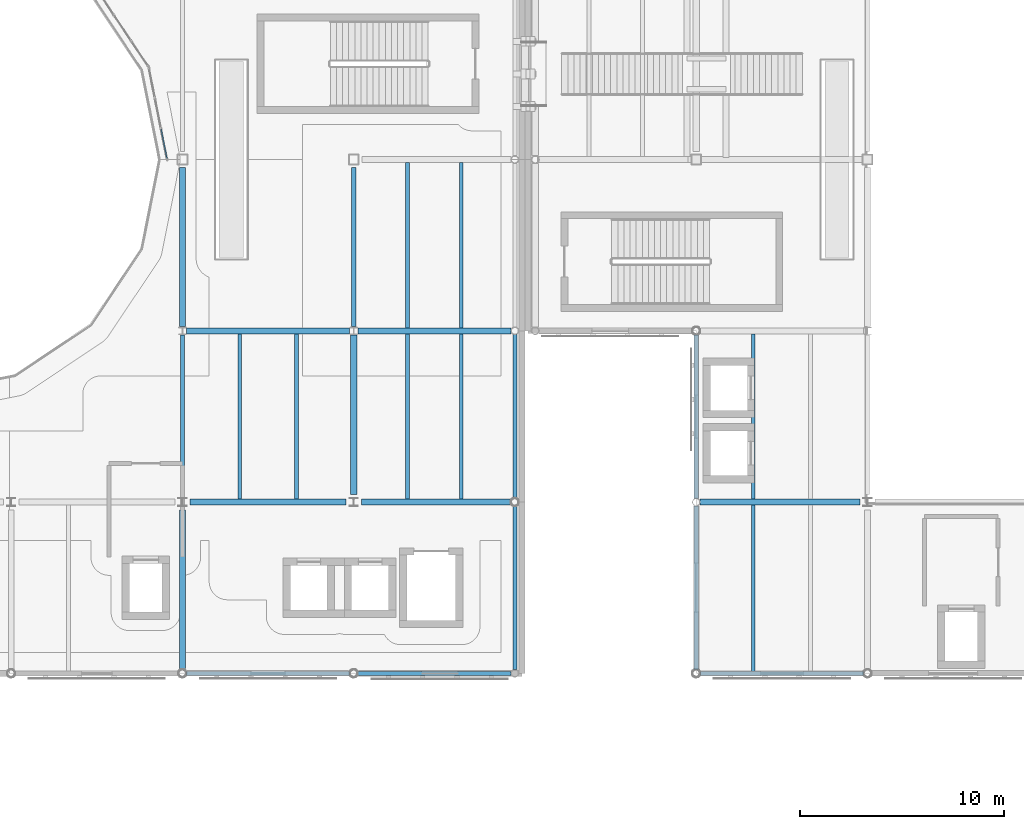
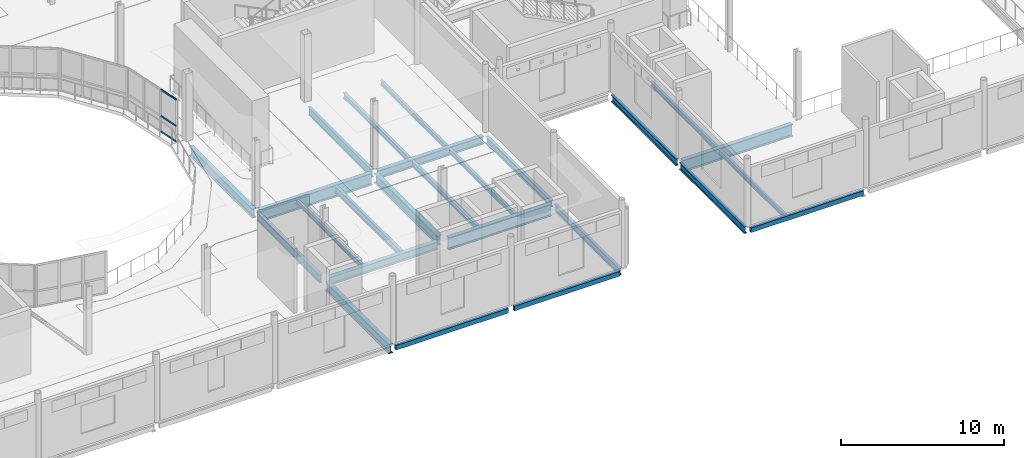
# One storey, part 21 of 104: 25 beams, 3 members, 1 element without a shape of its own.
"""IFC4 building model written with IfcOpenShell, lengths in metres."""

from ifc_helpers import new_model, si_unit, direction, frame, origin, origin_2d, place, context, subcontext, project, spatial, hollow_rectangle, i_section, extrude, material, layer, layer_set, material_profile, profile_set, type_object, element, aggregate, save


model = new_model("IFC4")

# Units and contexts
model_context = context("Model", 3, precision=1e-05, world=origin(), true_north=direction((0.0, 1.0)))
body_context = subcontext(model_context, "Body", "Model", "MODEL_VIEW")
ifc_project = project(units=[si_unit("LENGTHUNIT", "METRE"), si_unit("AREAUNIT", "SQUARE_METRE"), si_unit("VOLUMEUNIT", "CUBIC_METRE"), si_unit("PLANEANGLEUNIT", "RADIAN"), si_unit("MASSUNIT", "GRAM", prefix="KILO"), si_unit("THERMODYNAMICTEMPERATUREUNIT", "KELVIN")], contexts=[model_context])

# Site, building, storey
site_placement = place(None, origin())
site = spatial("IfcSite", under=ifc_project, at=site_placement, CompositionType="ELEMENT")
building_placement = place(site_placement, origin())
building = spatial("IfcBuilding", under=site, at=building_placement, Name="Lustrewick Department Store", CompositionType="ELEMENT")
storey_placement = place(building_placement, frame((0.0, 0.0, 11.39990234375)))
storey = spatial("IfcBuildingStorey", under=building, at=storey_placement, Name="L03", CompositionType="ELEMENT", Elevation=11.39990234375)

# Beams
ifc_material_1 = material(Name="Structural steel Q355B", Category="steel")
ifc_material_profile_1 = material_profile(ifc_material_1, i_section(OverallWidth=0.199951171875, OverallDepth=0.5, WebThickness=0.010009765625, FlangeThickness=0.01611328125, FilletRadius=0.01611328125, at=origin_2d()), Name="HN 500x200x10x16")
ifc_profile_set_1 = profile_set([ifc_material_profile_1], Name="Structural steel Q355B")
beam_type_1 = type_object("IfcBeamType", Name="B01", PredefinedType="JOIST", material=ifc_profile_set_1)
beam_1_placement = place(storey_placement, frame((47.60009765625, 50.551025390625, -0.5048828125), z_axis=(0.0, 1.0, 0.0), x_axis=(-1.0, 0.0, 0.0)))
element("IfcBeam", 1, at=beam_1_placement, inside=storey, type_object=beam_type_1, Name="L03 V1 Secondary Joist B01", PredefinedType="JOIST", context=body_context, shape_type="SweptSolid", body=[
    extrude(i_section(OverallWidth=0.199951171875, OverallDepth=0.5, WebThickness=0.010009765625, FlangeThickness=0.01611328125, FilletRadius=0.01611328125, at=origin_2d()), origin(), (0.0, 0.0, 1.0), 8.098876953125),
])
ifc_material_profile_2 = material_profile(ifc_material_1, i_section(OverallWidth=0.199951171875, OverallDepth=0.39990234375, WebThickness=0.008056640625, FlangeThickness=0.012939453125, FilletRadius=0.013916015625, at=origin_2d()), Name="HN 400x200x8x13")
ifc_profile_set_2 = profile_set([ifc_material_profile_2], Name="Structural steel Q355B")
beam_type_2 = type_object("IfcBeamType", Name="B05", PredefinedType="JOIST", material=ifc_profile_set_2)
beam_2_placement = place(storey_placement, frame((53.033203125, 50.550048828125, -0.454833984375), z_axis=(0.0, 1.0, 0.0), x_axis=(-1.0, 0.0, 0.0)))
element("IfcBeam", 2, at=beam_2_placement, inside=storey, type_object=beam_type_2, Name="L03 V1 Secondary Joist B05", PredefinedType="JOIST", context=body_context, shape_type="SweptSolid", body=[
    extrude(i_section(OverallWidth=0.199951171875, OverallDepth=0.39990234375, WebThickness=0.008056640625, FlangeThickness=0.012939453125, FilletRadius=0.013916015625, at=origin_2d()), origin(), (0.0, 0.0, 1.0), 8.098876953125),
])
beam_3_placement = place(storey_placement, frame((53.033203125, 58.950927734375, -0.454833984375), z_axis=(0.0, 1.0, 0.0), x_axis=(-1.0, 0.0, 0.0)))
element("IfcBeam", 3, at=beam_3_placement, inside=storey, type_object=beam_type_2, Name="L03 V1 Secondary Joist B05", PredefinedType="JOIST", context=body_context, shape_type="SweptSolid", body=[
    extrude(i_section(OverallWidth=0.199951171875, OverallDepth=0.39990234375, WebThickness=0.008056640625, FlangeThickness=0.012939453125, FilletRadius=0.013916015625, at=origin_2d()), origin(), (0.0, 0.0, 1.0), 8.09912109375),
])
ifc_material_profile_3 = material_profile(ifc_material_1, i_section(OverallWidth=0.175048828125, OverallDepth=0.35009765625, WebThickness=0.007080078125, FlangeThickness=0.010986328125, FilletRadius=0.012939453125, at=origin_2d()), Name="HN 350x175x7x11")
ifc_profile_set_3 = profile_set([ifc_material_profile_3], Name="Structural steel Q355B")
beam_type_3 = type_object("IfcBeamType", Name="B09", PredefinedType="JOIST", material=ifc_profile_set_3)
beam_4_placement = place(storey_placement, frame((55.666748046875, 50.550048828125, -0.429931640625), z_axis=(0.0, 1.0, 0.0), x_axis=(-1.0, 0.0, 0.0)))
element("IfcBeam", 4, at=beam_4_placement, inside=storey, type_object=beam_type_3, Name="L03 V1 Secondary Joist B09", PredefinedType="JOIST", context=body_context, shape_type="SweptSolid", body=[
    extrude(i_section(OverallWidth=0.175048828125, OverallDepth=0.35009765625, WebThickness=0.007080078125, FlangeThickness=0.010986328125, FilletRadius=0.012939453125, at=origin_2d()), origin(), (0.0, 0.0, 1.0), 8.098876953125),
])
beam_5_placement = place(storey_placement, frame((55.666748046875, 58.950927734375, -0.429931640625), z_axis=(0.0, 1.0, 0.0), x_axis=(-1.0, 0.0, 0.0)))
element("IfcBeam", 5, at=beam_5_placement, inside=storey, type_object=beam_type_3, Name="L03 V1 Secondary Joist B09", PredefinedType="JOIST", context=body_context, shape_type="SweptSolid", body=[
    extrude(i_section(OverallWidth=0.175048828125, OverallDepth=0.35009765625, WebThickness=0.007080078125, FlangeThickness=0.010986328125, FilletRadius=0.012939453125, at=origin_2d()), origin(), (0.0, 0.0, 1.0), 8.09912109375),
])
beam_6_placement = place(storey_placement, frame((70.0, 42.10009765625, -0.429931640625), z_axis=(0.0, 1.0, 0.0), x_axis=(-1.0, 0.0, 0.0)))
element("IfcBeam", 6, at=beam_6_placement, inside=storey, type_object=beam_type_3, Name="L03 V2 Secondary Joist B09", PredefinedType="JOIST", context=body_context, shape_type="SweptSolid", body=[
    extrude(i_section(OverallWidth=0.175048828125, OverallDepth=0.35009765625, WebThickness=0.007080078125, FlangeThickness=0.010986328125, FilletRadius=0.012939453125, at=origin_2d()), origin(), (0.0, 0.0, 1.0), 8.14990234375),
])
beam_7_placement = place(storey_placement, frame((70.0, 50.550048828125, -0.429931640625), z_axis=(0.0, 1.0, 0.0), x_axis=(-1.0, 0.0, 0.0)))
element("IfcBeam", 7, at=beam_7_placement, inside=storey, type_object=beam_type_3, Name="L03 V2 Secondary Joist B09", PredefinedType="JOIST", context=body_context, shape_type="SweptSolid", body=[
    extrude(i_section(OverallWidth=0.175048828125, OverallDepth=0.35009765625, WebThickness=0.007080078125, FlangeThickness=0.010986328125, FilletRadius=0.012939453125, at=origin_2d()), origin(), (0.0, 0.0, 1.0), 8.098876953125),
])
ifc_material_profile_4 = material_profile(ifc_material_1, i_section(OverallWidth=0.174072265625, OverallDepth=0.345947265625, WebThickness=0.006103515625, FlangeThickness=0.009033203125, FilletRadius=0.012939453125, at=origin_2d()), Name="HN 346x174x6x9")
ifc_profile_set_4 = profile_set([ifc_material_profile_4], Name="Structural steel Q355B")
beam_type_4 = type_object("IfcBeamType", Name="B10", PredefinedType="JOIST", material=ifc_profile_set_4)
beam_8_placement = place(storey_placement, frame((44.800048828125, 50.551025390625, -0.427978515625), z_axis=(0.0, 1.0, 0.0), x_axis=(-1.0, 0.0, 0.0)))
element("IfcBeam", 8, at=beam_8_placement, inside=storey, type_object=beam_type_4, Name="L03 V1 Secondary Joist B10", PredefinedType="JOIST", context=body_context, shape_type="SweptSolid", body=[
    extrude(i_section(OverallWidth=0.174072265625, OverallDepth=0.345947265625, WebThickness=0.006103515625, FlangeThickness=0.009033203125, FilletRadius=0.012939453125, at=origin_2d()), origin(), (0.0, 0.0, 1.0), 8.098876953125),
])

# Curtain wall, members
ifc_material_2 = material(Name="Thermally broken aluminium 6063-T5", Category="aluminium")
ifc_layer = layer(ifc_material_2, 0.159912109375, Name="Thermally broken aluminium 6063-T5")
ifc_layer_set = layer_set([ifc_layer], Name="Thermally broken aluminium 6063-T5")
curtain_wall_type = type_object("IfcCurtainWallType", Name="CW17", PredefinedType="NOTDEFINED", material=ifc_layer_set)
curtain_wall_placement = place(storey_placement, origin())
curtain_wall = element("IfcCurtainWall", 9, at=curtain_wall_placement, inside=storey, type_object=curtain_wall_type, Name="L03 Atrium Glazed Screen CW17", PredefinedType="NOTDEFINED")
ifc_material_profile_5 = material_profile(ifc_material_2, hollow_rectangle(XDim=0.06005859375, YDim=0.1201171875, WallThickness=0.00341796875, at=origin_2d()), Name="ALU-T 60x120x3.5")
ifc_profile_set_5 = profile_set([ifc_material_profile_5], Name="Thermally broken aluminium 6063-T5")
member_type = type_object("IfcMemberType", Name="CW17-T1", PredefinedType="USERDEFINED", material=ifc_profile_set_5)
member_1_placement = place(storey_placement, frame((41.23828125, 67.2587890625, 0.030029296875), z_axis=(-0.195145487909, 0.980774305612, 0.0), x_axis=(-0.980774305612, -0.195145487909, 0.0)))
member_1 = element("IfcMember", 10, at=member_1_placement, type_object=member_type, Name="CW17 transom 1.1", ObjectType="TRANSOM", PredefinedType="USERDEFINED", context=body_context, shape_type="SweptSolid", body=[
    extrude(hollow_rectangle(XDim=0.06005859375, YDim=0.1201171875, WallThickness=0.00341796875, at=origin_2d()), origin(), (0.0, 0.0, 1.0), 1.451171875),
])
member_2_placement = place(storey_placement, frame((41.23828125, 67.2587890625, 1.2001953125), z_axis=(-0.195145487909, 0.980774305612, 0.0), x_axis=(-0.980774305612, -0.195145487909, 0.0)))
member_2 = element("IfcMember", 11, at=member_2_placement, type_object=member_type, Name="CW17 transom 1.2", ObjectType="TRANSOM", PredefinedType="USERDEFINED", context=body_context, shape_type="SweptSolid", body=[
    extrude(hollow_rectangle(XDim=0.06005859375, YDim=0.1201171875, WallThickness=0.00341796875, at=origin_2d()), origin(), (0.0, 0.0, 1.0), 1.451171875),
])
member_3_placement = place(storey_placement, frame((41.23828125, 67.2587890625, 3.170166015625), z_axis=(-0.195145487909, 0.980774305612, 0.0), x_axis=(-0.980774305612, -0.195145487909, 0.0)))
member_3 = element("IfcMember", 12, at=member_3_placement, type_object=member_type, Name="CW17 transom 1.3", ObjectType="TRANSOM", PredefinedType="USERDEFINED", context=body_context, shape_type="SweptSolid", body=[
    extrude(hollow_rectangle(XDim=0.06005859375, YDim=0.1201171875, WallThickness=0.00341796875, at=origin_2d()), origin(), (0.0, 0.0, 1.0), 1.451171875),
])
aggregate(curtain_wall, [member_1, member_2, member_3])

# Beams
ifc_material_3 = material(Name="Structural steel Q355C", Category="steel")
ifc_material_profile_6 = material_profile(ifc_material_3, i_section(OverallWidth=0.300048828125, OverallDepth=0.89990234375, WebThickness=0.01611328125, FlangeThickness=0.028076171875, FilletRadius=0.02392578125, at=origin_2d()), Name="HN 900x300x16x28")
ifc_profile_set_6 = profile_set([ifc_material_profile_6], Name="Structural steel Q355C")
beam_type_5 = type_object("IfcBeamType", Name="G02", PredefinedType="BEAM", material=ifc_profile_set_6)
beam_9_placement = place(storey_placement, frame((50.77490234375, 50.39990234375, -0.704833984375), z_axis=(1.0, 0.0, 0.0), x_axis=(0.0, 1.0, 0.0)))
element("IfcBeam", 13, at=beam_9_placement, inside=storey, type_object=beam_type_5, Name="L03 V1 Girder G02", PredefinedType="BEAM", context=body_context, shape_type="SweptSolid", body=[
    extrude(i_section(OverallWidth=0.300048828125, OverallDepth=0.89990234375, WebThickness=0.01611328125, FlangeThickness=0.028076171875, FilletRadius=0.02392578125, at=origin_2d()), origin(), (0.0, 0.0, 1.0), 7.322021484375),
])
beam_10_placement = place(storey_placement, frame((42.202392578125, 58.800048828125, -0.704833984375), z_axis=(1.0, 0.0, 0.0), x_axis=(0.0, 1.0, 0.0)))
element("IfcBeam", 14, at=beam_10_placement, inside=storey, type_object=beam_type_5, Name="L03 V1 Girder G02", PredefinedType="BEAM", context=body_context, shape_type="SweptSolid", body=[
    extrude(i_section(OverallWidth=0.300048828125, OverallDepth=0.89990234375, WebThickness=0.01611328125, FlangeThickness=0.028076171875, FilletRadius=0.02392578125, at=origin_2d()), origin(), (0.0, 0.0, 1.0), 7.9951171875),
])
beam_11_placement = place(storey_placement, frame((67.388427734375, 50.39990234375, -0.704833984375), z_axis=(1.0, 0.0, 0.0), x_axis=(0.0, 1.0, 0.0)))
element("IfcBeam", 15, at=beam_11_placement, inside=storey, type_object=beam_type_5, Name="L03 V2 Girder G02", PredefinedType="BEAM", context=body_context, shape_type="SweptSolid", body=[
    extrude(i_section(OverallWidth=0.300048828125, OverallDepth=0.89990234375, WebThickness=0.01611328125, FlangeThickness=0.028076171875, FilletRadius=0.02392578125, at=origin_2d()), origin(), (0.0, 0.0, 1.0), 7.836669921875),
])
ifc_material_profile_7 = material_profile(ifc_material_3, i_section(OverallWidth=0.302001953125, OverallDepth=0.7080078125, WebThickness=0.014892578125, FlangeThickness=0.028076171875, FilletRadius=0.02001953125, at=origin_2d()), Name="HN 708x302x15x28")
ifc_profile_set_7 = profile_set([ifc_material_profile_7], Name="Structural steel Q355C")
beam_type_6 = type_object("IfcBeamType", Name="G07", PredefinedType="BEAM", material=ifc_profile_set_7)
beam_12_placement = place(storey_placement, frame((42.0, 42.202880859375, -0.60888671875), z_axis=(0.0, 1.0, 0.0), x_axis=(-1.0, 0.0, 0.0)))
element("IfcBeam", 16, at=beam_12_placement, inside=storey, type_object=beam_type_6, Name="L03 V1 Girder G07", PredefinedType="BEAM", context=body_context, shape_type="SweptSolid", body=[
    extrude(i_section(OverallWidth=0.302001953125, OverallDepth=0.7080078125, WebThickness=0.014892578125, FlangeThickness=0.028076171875, FilletRadius=0.02001953125, at=origin_2d()), origin(), (0.0, 0.0, 1.0), 7.822021484375),
])
beam_13_placement = place(storey_placement, frame((42.0, 59.007080078125, -0.60888671875), z_axis=(0.0, 1.0, 0.0), x_axis=(-1.0, 0.0, 0.0)))
element("IfcBeam", 17, at=beam_13_placement, inside=storey, type_object=beam_type_6, Name="L03 V1 Girder G07", PredefinedType="BEAM", context=body_context, shape_type="SweptSolid", body=[
    extrude(i_section(OverallWidth=0.302001953125, OverallDepth=0.7080078125, WebThickness=0.014892578125, FlangeThickness=0.028076171875, FilletRadius=0.02001953125, at=origin_2d()), origin(), (0.0, 0.0, 1.0), 7.79296875),
])
beam_14_placement = place(storey_placement, frame((50.39990234375, 50.77490234375, -0.60888671875), z_axis=(0.0, 1.0, 0.0), x_axis=(-1.0, 0.0, 0.0)))
element("IfcBeam", 18, at=beam_14_placement, inside=storey, type_object=beam_type_6, Name="L03 V1 Girder G07", PredefinedType="BEAM", context=body_context, shape_type="SweptSolid", body=[
    extrude(i_section(OverallWidth=0.302001953125, OverallDepth=0.7080078125, WebThickness=0.014892578125, FlangeThickness=0.028076171875, FilletRadius=0.02001953125, at=origin_2d()), origin(), (0.0, 0.0, 1.0), 7.818115234375),
])
ifc_material_profile_8 = material_profile(ifc_material_1, i_section(OverallWidth=0.302001953125, OverallDepth=0.593994140625, WebThickness=0.013916015625, FlangeThickness=0.02294921875, FilletRadius=0.02392578125, at=origin_2d()), Name="HM 594x302x14x23")
ifc_profile_set_8 = profile_set([ifc_material_profile_8], Name="Structural steel Q355B")
beam_type_7 = type_object("IfcBeamType", Name="G10", PredefinedType="BEAM", material=ifc_profile_set_8)
beam_15_placement = place(storey_placement, frame((42.375, 50.39990234375, -0.552001953125), z_axis=(1.0, 0.0, 0.0), x_axis=(0.0, 1.0, 0.0)))
element("IfcBeam", 19, at=beam_15_placement, inside=storey, type_object=beam_type_7, Name="L03 V1 Girder G10", PredefinedType="BEAM", context=body_context, shape_type="SweptSolid", body=[
    extrude(i_section(OverallWidth=0.302001953125, OverallDepth=0.593994140625, WebThickness=0.013916015625, FlangeThickness=0.02294921875, FilletRadius=0.02392578125, at=origin_2d()), origin(), (0.0, 0.0, 1.0), 7.64990234375),
])
beam_16_placement = place(storey_placement, frame((50.6025390625, 58.800048828125, -0.552001953125), z_axis=(1.0, 0.0, 0.0), x_axis=(0.0, 1.0, 0.0)))
element("IfcBeam", 20, at=beam_16_placement, inside=storey, type_object=beam_type_7, Name="L03 V1 Girder G10", PredefinedType="BEAM", context=body_context, shape_type="SweptSolid", body=[
    extrude(i_section(OverallWidth=0.302001953125, OverallDepth=0.593994140625, WebThickness=0.013916015625, FlangeThickness=0.02294921875, FilletRadius=0.02392578125, at=origin_2d()), origin(), (0.0, 0.0, 1.0), 7.509033203125),
])
ifc_material_profile_9 = material_profile(ifc_material_1, i_section(OverallWidth=0.198974609375, OverallDepth=0.595947265625, WebThickness=0.010009765625, FlangeThickness=0.014892578125, FilletRadius=0.01806640625, at=origin_2d()), Name="HN 596x199x10x15")
ifc_profile_set_9 = profile_set([ifc_material_profile_9], Name="Structural steel Q355B")
beam_type_8 = type_object("IfcBeamType", Name="G15", PredefinedType="BEAM", material=ifc_profile_set_9)
beam_17_placement = place(storey_placement, frame((42.0, 50.77490234375, -0.552978515625), z_axis=(0.0, 1.0, 0.0), x_axis=(-1.0, 0.0, 0.0)))
element("IfcBeam", 21, at=beam_17_placement, inside=storey, type_object=beam_type_8, Name="L03 V1 Girder G15", PredefinedType="BEAM", context=body_context, shape_type="SweptSolid", body=[
    extrude(i_section(OverallWidth=0.198974609375, OverallDepth=0.595947265625, WebThickness=0.010009765625, FlangeThickness=0.014892578125, FilletRadius=0.01806640625, at=origin_2d()), origin(), (0.0, 0.0, 1.0), 7.818115234375),
])
beam_18_placement = place(storey_placement, frame((50.39990234375, 59.007080078125, -0.552978515625), z_axis=(0.0, 1.0, 0.0), x_axis=(-1.0, 0.0, 0.0)))
element("IfcBeam", 22, at=beam_18_placement, inside=storey, type_object=beam_type_8, Name="L03 V1 Girder G15", PredefinedType="BEAM", context=body_context, shape_type="SweptSolid", body=[
    extrude(i_section(OverallWidth=0.198974609375, OverallDepth=0.595947265625, WebThickness=0.010009765625, FlangeThickness=0.014892578125, FilletRadius=0.01806640625, at=origin_2d()), origin(), (0.0, 0.0, 1.0), 7.79296875),
])
ifc_material_profile_10 = material_profile(ifc_material_1, i_section(OverallWidth=0.200927734375, OverallDepth=0.506103515625, WebThickness=0.010986328125, FlangeThickness=0.01904296875, FilletRadius=0.01611328125, at=origin_2d()), Name="HN 506x201x11x19")
ifc_profile_set_10 = profile_set([ifc_material_profile_10], Name="Structural steel Q355B")
beam_type_9 = type_object("IfcBeamType", Name="SP01", PredefinedType="SPANDREL", material=ifc_profile_set_10)
for number, where, z_axis, x_axis, name in (
    (23, (58.300048828125, 42.1884765625, -0.5078125), (0.0, 1.0, 0.0), (-1.0, 0.0, 0.0), "L03 V1 Girder SP01"),
    (24, (58.300048828125, 50.60302734375, -0.5078125), (0.0, 1.0, 0.0), (-1.0, 0.0, 0.0), "L03 V1 Girder SP01"),
    (25, (67.199951171875, 42.202880859375, -0.5078125), (0.0, 1.0, 0.0), (-1.0, 0.0, 0.0), "L03 V2 Girder SP01"),
    (26, (67.199951171875, 50.58837890625, -0.5078125), (0.0, 1.0, 0.0), (-1.0, 0.0, 0.0), "L03 V2 Girder SP01"),
):
    element("IfcBeam", number, at=place(storey_placement, frame(where, z_axis=z_axis, x_axis=x_axis)), inside=storey, type_object=beam_type_9, Name=name, PredefinedType="SPANDREL", context=body_context, shape_type="SweptSolid", body=[
        extrude(i_section(OverallWidth=0.200927734375, OverallDepth=0.506103515625, WebThickness=0.010986328125, FlangeThickness=0.01904296875, FilletRadius=0.01611328125, at=origin_2d()), origin(), (0.0, 0.0, 1.0), 8.008544921875),
    ])
ifc_material_profile_11 = material_profile(ifc_material_3, hollow_rectangle(XDim=0.199951171875, YDim=0.35009765625, WallThickness=0.011962890625, at=origin_2d()), Name="RHS 350x200x12")
ifc_profile_set_11 = profile_set([ifc_material_profile_11], Name="Structural steel Q355C")
beam_type_10 = type_object("IfcBeamType", Name="SP03", PredefinedType="SPANDREL", material=ifc_profile_set_11)
beam_19_placement = place(storey_placement, frame((42.202880859375, 42.0, -0.429931640625), z_axis=(1.0, 0.0, 0.0), x_axis=(0.0, 1.0, 0.0)))
element("IfcBeam", 27, at=beam_19_placement, inside=storey, type_object=beam_type_10, Name="L03 V1 Girder SP03", PredefinedType="SPANDREL", context=body_context, shape_type="SweptSolid", body=[
    extrude(hollow_rectangle(XDim=0.199951171875, YDim=0.35009765625, WallThickness=0.011962890625, at=origin_2d()), origin(), (0.0, 0.0, 1.0), 7.994140625),
])
beam_20_placement = place(storey_placement, frame((50.60302734375, 42.0, -0.429931640625), z_axis=(1.0, 0.0, 0.0), x_axis=(0.0, 1.0, 0.0)))
element("IfcBeam", 28, at=beam_20_placement, inside=storey, type_object=beam_type_10, Name="L03 V1 Girder SP03", PredefinedType="SPANDREL", context=body_context, shape_type="SweptSolid", body=[
    extrude(hollow_rectangle(XDim=0.199951171875, YDim=0.35009765625, WallThickness=0.011962890625, at=origin_2d()), origin(), (0.0, 0.0, 1.0), 7.508544921875),
])
beam_21_placement = place(storey_placement, frame((67.403076171875, 42.0, -0.429931640625), z_axis=(1.0, 0.0, 0.0), x_axis=(0.0, 1.0, 0.0)))
element("IfcBeam", 29, at=beam_21_placement, inside=storey, type_object=beam_type_10, Name="L03 V2 Girder SP03", PredefinedType="SPANDREL", context=body_context, shape_type="SweptSolid", body=[
    extrude(hollow_rectangle(XDim=0.199951171875, YDim=0.35009765625, WallThickness=0.011962890625, at=origin_2d()), origin(), (0.0, 0.0, 1.0), 7.993896484375),
])

save(model, "model.ifc")
